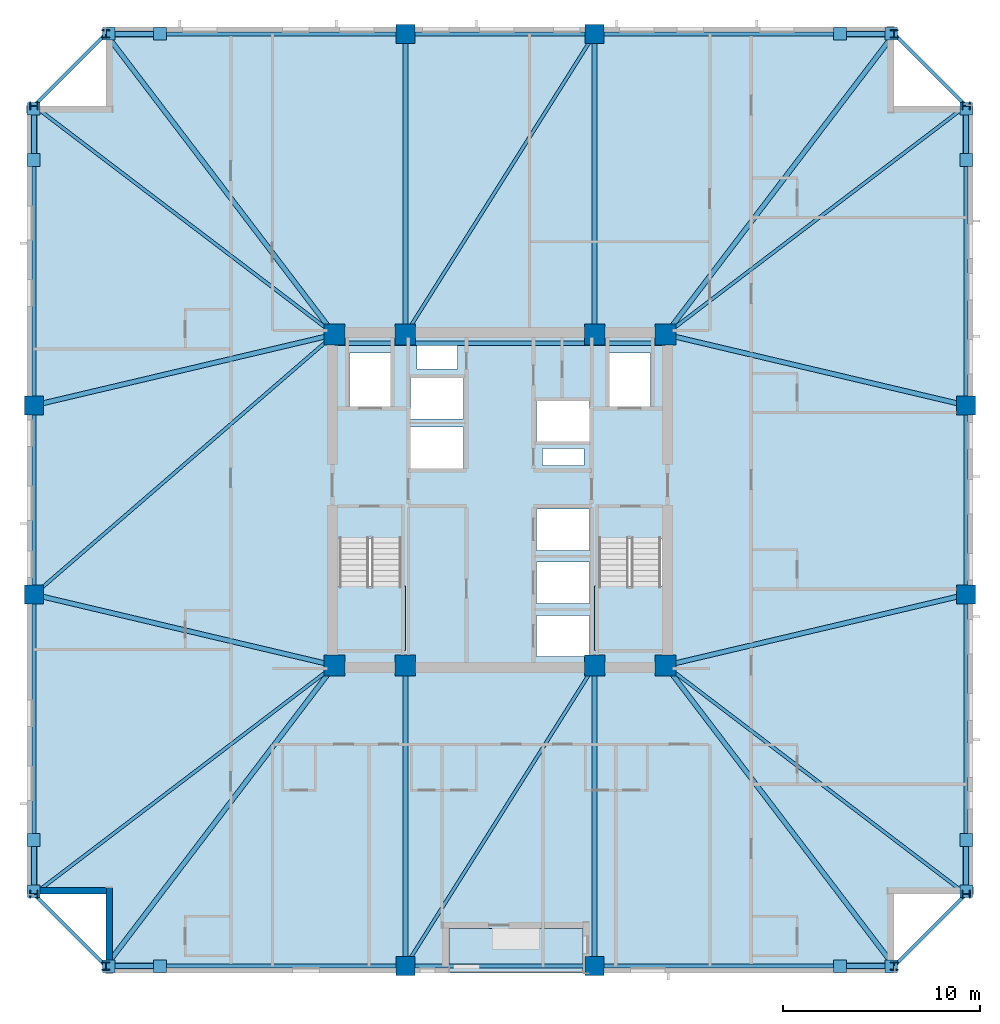
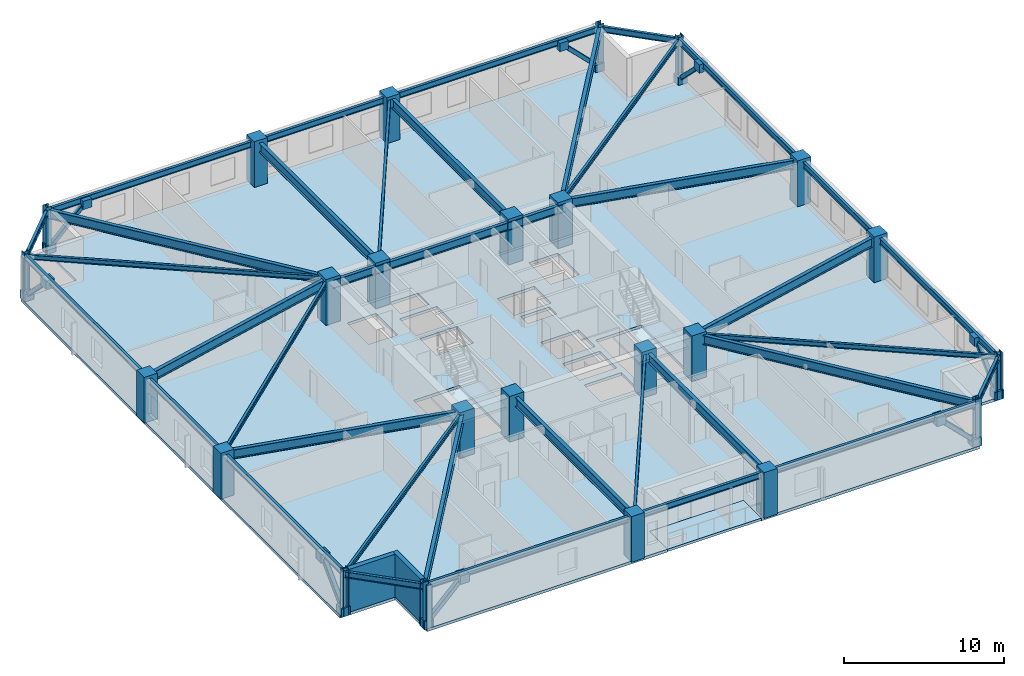
# One storey, part 1 of 11: 38 beams, 24 columns, 16 plates, 8 members, 4 slabs, 2 walls, 2 elements without a shape of their own.
"""IFC4 building model written with IfcOpenShell, lengths in metres."""

import ifcopenshell
import ifcopenshell.guid

model = None  # the IFC model being written
_history = None  # IfcOwnerHistory: only IFC2X3 demands one
_inside = {}  # id of a spatial element -> (the spatial element, [elements in it])
_under = {}  # id of a project, library or spatial element -> (it, [spatial elements below it])
_declared = {}  # id of a project -> (the project, [libraries it declares])
_typed = {}  # id of a type object -> (the type object, [elements of that type])
_made_of = {}  # id of a material, layer set ... -> (it, [elements and type objects made of it])


def new_model(schema):
    """Start an empty IFC model of exactly this schema.

    Asked for "IFC4X3", IfcOpenShell would pick the latest addendum, in which some entities
    have other attributes; the version numbers below select the first issue.
    IFC2X3 requires an IfcOwnerHistory on every rooted entity: one is made here for all.
    """
    global model, _history
    if schema == "IFC4X3":
        model = ifcopenshell.file(schema_version=(4, 3, 0, 0))
    else:
        model = ifcopenshell.file(schema=schema)
    _inside.clear()
    _under.clear()
    _declared.clear()
    _typed.clear()
    _made_of.clear()
    _history = None
    if model.schema == "IFC2X3":
        org = make("IfcOrganization", Name="unknown")
        user = make(
            "IfcPersonAndOrganization",
            ThePerson=make("IfcPerson", FamilyName="unknown"),
            TheOrganization=org,
        )
        app = make(
            "IfcApplication",
            ApplicationDeveloper=org,
            Version="unknown",
            ApplicationFullName="unknown",
            ApplicationIdentifier="unknown",
        )
        _history = make(
            "IfcOwnerHistory",
            OwningUser=user,
            OwningApplication=app,
            ChangeAction="ADDED",
            CreationDate=0,
        )
    return model


def make(cls, **values):
    """One entity of the class cls with the attributes given. An attribute that is None is left unset."""
    return model.create_entity(
        cls, **{name: value for name, value in values.items() if value is not None}
    )


def rooted(cls, **values):
    """An entity with a GlobalId (a new one), such as an element, a storey or a relation."""
    return make(cls, GlobalId=ifcopenshell.guid.new(), OwnerHistory=_history, **values)


def si_unit(unit_type, name, prefix=None):
    """IfcSIUnit, for example si_unit("LENGTHUNIT", "METRE", prefix="MILLI")."""
    return make("IfcSIUnit", UnitType=unit_type, Prefix=prefix, Name=name)


def assignment(units):
    """IfcUnitAssignment: the units of a project."""
    return None if units is None else make("IfcUnitAssignment", Units=units)


def point(xyz):
    """IfcCartesianPoint."""
    return None if xyz is None else make("IfcCartesianPoint", Coordinates=xyz)


def direction(xyz):
    """IfcDirection."""
    return None if xyz is None else make("IfcDirection", DirectionRatios=xyz)


def frame(location, z_axis=None, x_axis=None):
    """IfcAxis2Placement3D, a coordinate frame: its origin and axes. An axis left out is left unset."""
    return make(
        "IfcAxis2Placement3D",
        Location=point(location),
        Axis=direction(z_axis),
        RefDirection=direction(x_axis),
    )


def frame_2d(location, x_axis=None):
    """IfcAxis2Placement2D, a coordinate frame in the plane: its origin and x axis."""
    return make(
        "IfcAxis2Placement2D", Location=point(location), RefDirection=direction(x_axis)
    )


def origin():
    """The frame at (0, 0, 0) with its axes left unset."""
    return frame((0.0, 0.0, 0.0))


def origin_2d():
    """The frame at (0, 0) in the plane with its x axis left unset."""
    return frame_2d((0.0, 0.0))


def place(relative_to, where):
    """IfcLocalPlacement: puts the frame where relative to a parent placement (None: the world)."""
    return make(
        "IfcLocalPlacement", PlacementRelTo=relative_to, RelativePlacement=where
    )


def context(
    kind, dimensions, precision=None, world=None, true_north=None, identifier=None
):
    """IfcGeometricRepresentationContext, for example the 3D "Model" context."""
    return make(
        "IfcGeometricRepresentationContext",
        ContextIdentifier=identifier,
        ContextType=kind,
        CoordinateSpaceDimension=dimensions,
        Precision=precision,
        WorldCoordinateSystem=world,
        TrueNorth=true_north,
    )


def subcontext(parent, identifier, kind, view, scale=None):
    """IfcGeometricRepresentationSubContext, for example "Body" below "Model"."""
    return make(
        "IfcGeometricRepresentationSubContext",
        ContextIdentifier=identifier,
        ContextType=kind,
        ParentContext=parent,
        TargetScale=scale,
        TargetView=view,
    )


def project(units=None, contexts=None):
    """IfcProject with its units and contexts."""
    return rooted(
        "IfcProject",
        Name="project",
        RepresentationContexts=contexts,
        UnitsInContext=assignment(units),
    )


def spatial(cls, under=None, at=None, **own):
    """A site, building, storey or space (cls), placed at a placement, below another one or the project."""
    s = rooted(cls, ObjectPlacement=at, **own)
    if under is not None:
        _under.setdefault(under.id(), (under, []))[1].append(s)
    return s


def polyline(points):
    """IfcPolyline through the points."""
    return make("IfcPolyline", Points=[point(p) for p in points])


def profile(cls, at=None, kind="AREA", **sizes):
    """A parametric profile (cls). Its sizes go by their IFC names, for example OverallWidth=200.0."""
    return make(cls, ProfileType=kind, Position=at, **sizes)


def rectangle(**sizes):
    """IfcRectangleProfileDef."""
    return profile("IfcRectangleProfileDef", **sizes)


def hollow_rectangle(**sizes):
    """IfcRectangleHollowProfileDef."""
    return profile("IfcRectangleHollowProfileDef", **sizes)


def i_section(**sizes):
    """IfcIShapeProfileDef."""
    return profile("IfcIShapeProfileDef", **sizes)


def outline(outer, holes=None, kind="AREA"):
    """IfcArbitraryClosedProfileDef: a profile drawn as a closed curve; with holes, ...WithVoids."""
    if holes is None:
        return make("IfcArbitraryClosedProfileDef", ProfileType=kind, OuterCurve=outer)
    return make(
        "IfcArbitraryProfileDefWithVoids",
        ProfileType=kind,
        OuterCurve=outer,
        InnerCurves=holes,
    )


def extrude(swept, where, along, depth):
    """IfcExtrudedAreaSolid: the profile swept, set in the frame where, extruded along a direction by depth."""
    return make(
        "IfcExtrudedAreaSolid",
        SweptArea=swept,
        Position=where,
        ExtrudedDirection=direction(along),
        Depth=depth,
    )


def shape(context_of_items, identifier, shape_type, items):
    """IfcShapeRepresentation: the items that make up one representation, for example the "Body"."""
    return make(
        "IfcShapeRepresentation",
        ContextOfItems=context_of_items,
        RepresentationIdentifier=identifier,
        RepresentationType=shape_type,
        Items=items,
    )


def material(Name=None, Category=None):
    """IfcMaterial."""
    return make("IfcMaterial", Name=Name, Category=Category)


def layer(
    of_material, thickness, ventilated=None, Name=None, Category=None, Priority=None
):
    """IfcMaterialLayer: one layer of a wall or slab, of a material (None: an air gap)."""
    return make(
        "IfcMaterialLayer",
        Material=of_material,
        LayerThickness=thickness,
        IsVentilated=ventilated,
        Name=Name,
        Category=Category,
        Priority=Priority,
    )


def layer_set(layers, Name=None):
    """IfcMaterialLayerSet."""
    return make("IfcMaterialLayerSet", MaterialLayers=layers, LayerSetName=Name)


def material_profile(
    of_material, cross_section, Name=None, Category=None, Priority=None
):
    """IfcMaterialProfile: a cross section and its material."""
    return make(
        "IfcMaterialProfile",
        Name=Name,
        Material=of_material,
        Profile=cross_section,
        Priority=Priority,
        Category=Category,
    )


def profile_set(profiles, Name=None, composite=None):
    """IfcMaterialProfileSet."""
    return make(
        "IfcMaterialProfileSet",
        Name=Name,
        MaterialProfiles=profiles,
        CompositeProfile=composite,
    )


def made_of(thing, what):
    """Note that an element or type object is made of a material, layer set ...; save() writes the relation."""
    if what is not None:
        _made_of.setdefault(what.id(), (what, []))[1].append(thing)
    return thing


def type_object(cls, material=None, **own):
    """A type object (cls), such as IfcWallType, which elements share."""
    return made_of(rooted(cls, **own), material)


def element(
    cls,
    number,
    at=None,
    inside=None,
    cuts=None,
    type_object=None,
    material=None,
    context=None,
    identifier="Body",
    shape_type=None,
    held_by="IfcProductDefinitionShape",
    body=None,
    shapes=None,
    **own,
):
    """One element of the class cls, such as IfcWall. Its Tag is "e" and its number.

    at: its placement. inside: the storey or other place that contains it. cuts: it is an
    opening in that element (IfcRelVoidsElement). A single representation is given by context,
    identifier, shape_type and body (its items); several are given by shapes. held_by: the class
    of the entity that holds the representations. save() writes the other relations.
    """
    e = rooted(cls, Tag="e%d" % number, ObjectPlacement=at, **own)
    if body is not None:
        shapes = [shape(context, identifier, shape_type, body)]
    if shapes is not None:
        e.Representation = make(held_by, Representations=shapes)
    if inside is not None:
        _inside.setdefault(inside.id(), (inside, []))[1].append(e)
    if cuts is not None:
        rooted(
            "IfcRelVoidsElement", RelatingBuildingElement=cuts, RelatedOpeningElement=e
        )
    if type_object is not None:
        _typed.setdefault(type_object.id(), (type_object, []))[1].append(e)
    return made_of(e, material)


def aggregate(whole, parts):
    """IfcRelAggregates: a whole, such as a stair, and the parts it consists of."""
    return rooted("IfcRelAggregates", RelatingObject=whole, RelatedObjects=parts)


def save(model, path):
    """Write the relations noted so far, then the file.

    IfcRelAggregates (storeys below a building ...), IfcRelContainedInSpatialStructure (elements
    in a storey), IfcRelDefinesByType, IfcRelAssociatesMaterial and IfcRelDeclares: one each for
    every whole, place, type object, material and project.
    """
    for whole, parts in _under.values():
        aggregate(whole, parts)
    for where, things in _inside.values():
        rooted(
            "IfcRelContainedInSpatialStructure",
            RelatedElements=things,
            RelatingStructure=where,
        )
    for kind, things in _typed.values():
        rooted("IfcRelDefinesByType", RelatedObjects=things, RelatingType=kind)
    for what, things in _made_of.values():
        rooted("IfcRelAssociatesMaterial", RelatedObjects=things, RelatingMaterial=what)
    for by, libraries in _declared.values():
        rooted("IfcRelDeclares", RelatingContext=by, RelatedDefinitions=libraries)
    model.write(path)


model = new_model("IFC4")

# Units and contexts
model_context = context("Model", 3, precision=1e-05, world=origin(), true_north=direction((0.0, 1.0)))
body_context = subcontext(model_context, "Body", "Model", "MODEL_VIEW")
ifc_project = project(units=[si_unit("LENGTHUNIT", "METRE"), si_unit("AREAUNIT", "SQUARE_METRE"), si_unit("VOLUMEUNIT", "CUBIC_METRE"), si_unit("PLANEANGLEUNIT", "RADIAN"), si_unit("MASSUNIT", "GRAM", prefix="KILO")], contexts=[model_context])

# Site, building, storey
site_placement = place(None, origin())
site = spatial("IfcSite", under=ifc_project, at=site_placement, CompositionType="ELEMENT")
building_placement = place(site_placement, origin())
building = spatial("IfcBuilding", under=site, at=building_placement, Name="Cairnveth Concourse Tower", CompositionType="ELEMENT")
storey_placement = place(building_placement, frame((0.0, 0.0, 158.5)))
storey = spatial("IfcBuildingStorey", under=building, at=storey_placement, Name="L43", CompositionType="ELEMENT", Elevation=158.5)

# Columns
ifc_material_1 = material(Name="Concrete N65 (65 MPa)", Category="concrete")
ifc_material_profile_1 = material_profile(ifc_material_1, rectangle(XDim=1.050048828125, YDim=1.050048828125, at=origin_2d()), Name="RC-COL-1050x1050")
ifc_profile_set_1 = profile_set([ifc_material_profile_1], Name="Concrete N65 (65 MPa)")
column_type_1 = type_object("IfcColumnType", Name="CORE COLUMN 1050X1050", PredefinedType="COLUMN", material=ifc_profile_set_1)
for number, where, z_axis, x_axis, name in (
    (1, (43.60009765625, 30.60009765625, 0.0), (0.0, 0.0, 1.0), (1.0, 0.0, 0.0), "Column CC1 L43"),
    (2, (47.199951171875, 30.60009765625, 0.0), (0.0, 0.0, 1.0), (1.0, 0.0, 0.0), "Column CC2 L43"),
    (3, (56.800048828125, 30.60009765625, 0.0), (0.0, 0.0, 1.0), (1.0, 0.0, 0.0), "Column CC3 L43"),
    (4, (60.39990234375, 30.60009765625, 0.0), (0.0, 0.0, 1.0), (1.0, 0.0, 0.0), "Column CC4 L43"),
    (5, (43.60009765625, 47.39990234375, 0.0), (0.0, 0.0, 1.0), (1.0, 0.0, 0.0), "Column CC5 L43"),
    (6, (47.199951171875, 47.39990234375, 0.0), (0.0, 0.0, 1.0), (1.0, 0.0, 0.0), "Column CC6 L43"),
    (7, (56.800048828125, 47.39990234375, 0.0), (0.0, 0.0, 1.0), (1.0, 0.0, 0.0), "Column CC7 L43"),
    (8, (60.39990234375, 47.39990234375, 0.0), (0.0, 0.0, 1.0), (1.0, 0.0, 0.0), "Column CC8 L43"),
):
    element("IfcColumn", number, at=place(storey_placement, frame(where, z_axis=z_axis, x_axis=x_axis)), inside=storey, type_object=column_type_1, Name=name, PredefinedType="COLUMN", context=body_context, shape_type="SweptSolid", body=[
        extrude(rectangle(XDim=1.050048828125, YDim=1.050048828125, at=origin_2d()), origin(), (0.0, 0.0, 1.0), 3.5),
    ])
ifc_material_profile_2 = material_profile(ifc_material_1, rectangle(XDim=0.949951171875, YDim=0.949951171875, at=origin_2d()), Name="RC-COL-950x950")
ifc_profile_set_2 = profile_set([ifc_material_profile_2], Name="Concrete N65 (65 MPa)")
column_type_2 = type_object("IfcColumnType", Name="PERIMETER PIER COLUMN 950X950", PredefinedType="COLUMN", material=ifc_profile_set_2)
for number, where, z_axis, x_axis, name in (
    (9, (47.199951171875, 15.35009765625, 0.0), (0.0, 0.0, 1.0), (1.0, 0.0, 0.0), "Column P-S2 L43"),
    (10, (56.800048828125, 15.35009765625, 0.0), (0.0, 0.0, 1.0), (1.0, 0.0, 0.0), "Column P-S3 L43"),
    (11, (75.64990234375, 34.199951171875, 0.0), (0.0, 0.0, 1.0), (0.0, 1.0, 0.0), "Column P-E2 L43"),
    (12, (75.64990234375, 43.800048828125, 0.0), (0.0, 0.0, 1.0), (0.0, 1.0, 0.0), "Column P-E3 L43"),
    (13, (56.800048828125, 62.64990234375, 0.0), (0.0, 0.0, 1.0), (1.0, 0.0, 0.0), "Column P-N2 L43"),
    (14, (47.199951171875, 62.64990234375, 0.0), (0.0, 0.0, 1.0), (1.0, 0.0, 0.0), "Column P-N3 L43"),
    (15, (28.35009765625, 43.800048828125, 0.0), (0.0, 0.0, 1.0), (0.0, 1.0, 0.0), "Column P-W2 L43"),
    (16, (28.35009765625, 34.199951171875, 0.0), (0.0, 0.0, 1.0), (0.0, 1.0, 0.0), "Column P-W3 L43"),
):
    element("IfcColumn", number, at=place(storey_placement, frame(where, z_axis=z_axis, x_axis=x_axis)), inside=storey, type_object=column_type_2, Name=name, PredefinedType="COLUMN", context=body_context, shape_type="SweptSolid", body=[
        extrude(rectangle(XDim=0.949951171875, YDim=0.949951171875, at=origin_2d()), origin(), (0.0, 0.0, 1.0), 3.5),
    ])
ifc_material_2 = material(Name="Steel Grade 350", Category="steel")
ifc_material_profile_3 = material_profile(ifc_material_2, i_section(OverallWidth=0.39990234375, OverallDepth=0.39990234375, WebThickness=0.02197265625, FlangeThickness=0.035888671875, at=origin_2d()), Name="400WC270")
ifc_profile_set_3 = profile_set([ifc_material_profile_3], Name="Steel Grade 350")
column_type_3 = type_object("IfcColumnType", Name="WELDED STEEL COLUMN 400WC270", PredefinedType="COLUMN", material=ifc_profile_set_3)
for number, where, z_axis, x_axis, name in (
    (17, (32.0, 15.35009765625, 0.0), (0.0, 0.0, 1.0), (1.0, 0.0, 0.0), "Column P-S1 L43"),
    (18, (72.0, 15.35009765625, 0.0), (0.0, 0.0, 1.0), (1.0, 0.0, 0.0), "Column P-S4 L43"),
    (19, (75.64990234375, 19.0, 0.0), (0.0, 0.0, 1.0), (0.0, 1.0, 0.0), "Column P-E1 L43"),
    (20, (75.64990234375, 59.0, 0.0), (0.0, 0.0, 1.0), (0.0, 1.0, 0.0), "Column P-E4 L43"),
    (21, (72.0, 62.64990234375, 0.0), (0.0, 0.0, 1.0), (1.0, 0.0, 0.0), "Column P-N1 L43"),
    (22, (32.0, 62.64990234375, 0.0), (0.0, 0.0, 1.0), (1.0, 0.0, 0.0), "Column P-N4 L43"),
    (23, (28.35009765625, 59.0, 0.0), (0.0, 0.0, 1.0), (0.0, 1.0, 0.0), "Column P-W1 L43"),
    (24, (28.35009765625, 19.0, 0.0), (0.0, 0.0, 1.0), (0.0, 1.0, 0.0), "Column P-W4 L43"),
):
    element("IfcColumn", number, at=place(storey_placement, frame(where, z_axis=z_axis, x_axis=x_axis)), inside=storey, type_object=column_type_3, Name=name, PredefinedType="COLUMN", context=body_context, shape_type="SweptSolid", body=[
        extrude(i_section(OverallWidth=0.39990234375, OverallDepth=0.39990234375, WebThickness=0.02197265625, FlangeThickness=0.035888671875, at=origin_2d()), origin(), (0.0, 0.0, 1.0), 3.5),
    ])

# Beams
ifc_material_profile_4 = material_profile(ifc_material_2, i_section(OverallWidth=0.22802734375, OverallDepth=0.60693359375, WebThickness=0.01123046875, FlangeThickness=0.017333984375, FilletRadius=0.013916015625, at=origin_2d()), Name="610UB113")
ifc_profile_set_4 = profile_set([ifc_material_profile_4], Name="Steel Grade 350")
beam_type_1 = type_object("IfcBeamType", Name="CORE TIE BEAM 610UB113", PredefinedType="T_BEAM", material=ifc_profile_set_4)
for number, where, z_axis, x_axis, name in (
    (25, (43.60009765625, 46.949951171875, 2.9765625), (1.0, 0.0, 0.0), (0.0, 1.0, 0.0), "Beam CT-N1 L43"),
    (26, (56.800048828125, 46.949951171875, 2.9765625), (1.0, 0.0, 0.0), (0.0, 1.0, 0.0), "Beam CT-N3 L43"),
):
    element("IfcBeam", number, at=place(storey_placement, frame(where, z_axis=z_axis, x_axis=x_axis)), inside=storey, type_object=beam_type_1, Name=name, PredefinedType="T_BEAM", context=body_context, shape_type="SweptSolid", body=[
        extrude(i_section(OverallWidth=0.22802734375, OverallDepth=0.60693359375, WebThickness=0.01123046875, FlangeThickness=0.017333984375, FilletRadius=0.013916015625, at=origin_2d()), origin(), (0.0, 0.0, 1.0), 3.599853515625),
    ])
beam_1_placement = place(storey_placement, frame((47.199951171875, 46.949951171875, 2.9765625), z_axis=(1.0, 0.0, 0.0), x_axis=(0.0, 1.0, 0.0)))
element("IfcBeam", 27, at=beam_1_placement, inside=storey, type_object=beam_type_1, Name="Beam CT-N2 L43", PredefinedType="T_BEAM", context=body_context, shape_type="SweptSolid", body=[
    extrude(i_section(OverallWidth=0.22802734375, OverallDepth=0.60693359375, WebThickness=0.01123046875, FlangeThickness=0.017333984375, FilletRadius=0.013916015625, at=origin_2d()), origin(), (0.0, 0.0, 1.0), 9.60009765625),
])
ifc_material_profile_5 = material_profile(ifc_material_2, i_section(OverallWidth=0.172119140625, OverallDepth=0.35888671875, WebThickness=0.008056640625, FlangeThickness=0.012939453125, FilletRadius=0.010986328125, at=origin_2d()), Name="360UB56.7")
ifc_profile_set_5 = profile_set([ifc_material_profile_5], Name="Steel Grade 350")
beam_type_2 = type_object("IfcBeamType", Name="ZONE 2 FLOOR JOIST 360UB56.7", PredefinedType="JOIST", material=ifc_profile_set_5)
for number, where, z_axis, x_axis, name in (
    (28, (28.35009765625, 19.0, 3.1005859375), (0.795908242904, 0.6054172684, 0.0), (-0.6054172684, 0.795908242904, 0.0), "Beam FJ-CSW2 L43"),
    (29, (75.64990234375, 19.0, 3.1005859375), (-0.795908242904, 0.6054172684, 0.0), (-0.6054172684, -0.795908242904, 0.0), "Beam FJ-CSE2 L43"),
    (30, (75.64990234375, 59.0, 3.1005859375), (-0.795908242904, -0.6054172684, 0.0), (0.6054172684, -0.795908242904, 0.0), "Beam FJ-CNE2 L43"),
    (31, (28.35009765625, 59.0, 3.1005859375), (0.795908242904, -0.6054172684, 0.0), (0.6054172684, 0.795908242904, 0.0), "Beam FJ-CNW2 L43"),
):
    element("IfcBeam", number, at=place(storey_placement, frame(where, z_axis=z_axis, x_axis=x_axis)), inside=storey, type_object=beam_type_2, Name=name, PredefinedType="JOIST", context=body_context, shape_type="SweptSolid", body=[
        extrude(i_section(OverallWidth=0.172119140625, OverallDepth=0.35888671875, WebThickness=0.008056640625, FlangeThickness=0.012939453125, FilletRadius=0.010986328125, at=origin_2d()), origin(), (0.0, 0.0, 1.0), 19.160400390625),
    ])
for number, where, z_axis, x_axis, name in (
    (32, (47.199951171875, 15.35009765625, 3.1005859375), (0.532743557037, 0.84627672923, 0.0), (-0.84627672923, 0.532743557037, 0.0), "Beam FJ-S-M1 L43"),
    (33, (47.199951171875, 47.39990234375, 3.1005859375), (0.532743557037, 0.84627672923, 0.0), (-0.84627672923, 0.532743557037, 0.0), "Beam FJ-N-M1 L43"),
):
    element("IfcBeam", number, at=place(storey_placement, frame(where, z_axis=z_axis, x_axis=x_axis)), inside=storey, type_object=beam_type_2, Name=name, PredefinedType="JOIST", context=body_context, shape_type="SweptSolid", body=[
        extrude(i_section(OverallWidth=0.172119140625, OverallDepth=0.35888671875, WebThickness=0.008056640625, FlangeThickness=0.012939453125, FilletRadius=0.010986328125, at=origin_2d()), origin(), (0.0, 0.0, 1.0), 18.02001953125),
    ])
beam_2_placement = place(storey_placement, frame((28.35009765625, 34.199951171875, 3.1005859375), z_axis=(0.756099107057, 0.654457134049, 0.0), x_axis=(-0.654457134049, 0.756099107057, 0.0)))
element("IfcBeam", 34, at=beam_2_placement, inside=storey, type_object=beam_type_2, Name="Beam FJ-W-M1 L43", PredefinedType="JOIST", context=body_context, shape_type="SweptSolid", body=[
    extrude(i_section(OverallWidth=0.172119140625, OverallDepth=0.35888671875, WebThickness=0.008056640625, FlangeThickness=0.012939453125, FilletRadius=0.010986328125, at=origin_2d()), origin(), (0.0, 0.0, 1.0), 20.16943359375),
])

# Members
ifc_material_3 = material(Name="Steel C350L0 (350 MPa)", Category="steel")
ifc_material_profile_6 = material_profile(ifc_material_3, hollow_rectangle(XDim=0.300048828125, YDim=0.300048828125, WallThickness=0.01611328125, InnerFilletRadius=0.01611328125, OuterFilletRadius=0.031982421875, at=origin_2d()), Name="300x300x16.0SHS")
ifc_profile_set_6 = profile_set([ifc_material_profile_6], Name="Steel C350L0 (350 MPa)")
member_type = type_object("IfcMemberType", Name="ZONE 2 PIER BRACE 300X300X16SHS", PredefinedType="BRACE", material=ifc_profile_set_6)
for number, where, z_axis, x_axis, name in (
    (35, (32.14990234375, 15.35009765625, 0.25), (0.709834195787, 0.0, 0.704368805735), (0.0, 1.0, 0.0), "Structural Brace PB-S1 L43"),
    (36, (71.85009765625, 15.35009765625, 0.25), (-0.709834195787, 0.0, 0.704368805735), (0.0, -1.0, 0.0), "Structural Brace PB-S2 L43"),
    (37, (32.14990234375, 62.64990234375, 0.25), (0.709834195787, 0.0, 0.704368805735), (0.0, 1.0, 0.0), "Structural Brace PB-N1 L43"),
    (38, (71.85009765625, 62.64990234375, 0.25), (-0.709834195787, 0.0, 0.704368805735), (0.0, -1.0, 0.0), "Structural Brace PB-N2 L43"),
    (39, (28.35009765625, 19.14990234375, 0.25), (0.0, 0.709834195787, 0.704368805735), (-1.0, 0.0, 0.0), "Structural Brace PB-W1 L43"),
    (40, (28.35009765625, 58.85009765625, 0.25), (0.0, -0.709834195787, 0.704368805735), (1.0, 0.0, 0.0), "Structural Brace PB-W2 L43"),
    (41, (75.64990234375, 19.14990234375, 0.25), (0.0, 0.709834195787, 0.704368805735), (-1.0, 0.0, 0.0), "Structural Brace PB-E1 L43"),
    (42, (75.64990234375, 58.85009765625, 0.25), (0.0, -0.709834195787, 0.704368805735), (1.0, 0.0, 0.0), "Structural Brace PB-E2 L43"),
):
    element("IfcMember", number, at=place(storey_placement, frame(where, z_axis=z_axis, x_axis=x_axis)), inside=storey, type_object=member_type, Name=name, PredefinedType="BRACE", context=body_context, shape_type="SweptSolid", body=[
        extrude(hollow_rectangle(XDim=0.300048828125, YDim=0.300048828125, WallThickness=0.01611328125, InnerFilletRadius=0.01611328125, OuterFilletRadius=0.031982421875, at=origin_2d()), origin(), (0.0, 0.0, 1.0), 3.6630859375),
    ])

# Beams
ifc_material_profile_7 = material_profile(ifc_material_2, i_section(OverallWidth=0.25, OverallDepth=0.699951171875, WebThickness=0.011962890625, FlangeThickness=0.028076171875, at=origin_2d()), Name="700WB173")
ifc_profile_set_7 = profile_set([ifc_material_profile_7], Name="Steel Grade 350")
beam_type_3 = type_object("IfcBeamType", Name="ZONE 2 RADIAL GIRDER 700WB173", PredefinedType="BEAM", material=ifc_profile_set_7)
for number, where, z_axis, x_axis, name in (
    (43, (47.199951171875, 15.35009765625, 2.929931640625), (0.0, 1.0, 0.0), (-1.0, 0.0, 0.0), "Beam RG-S1 L43"),
    (44, (56.800048828125, 15.35009765625, 2.929931640625), (0.0, 1.0, 0.0), (-1.0, 0.0, 0.0), "Beam RG-S2 L43"),
    (45, (47.199951171875, 47.39990234375, 2.929931640625), (0.0, 1.0, 0.0), (-1.0, 0.0, 0.0), "Beam RG-N1 L43"),
    (46, (56.800048828125, 47.39990234375, 2.929931640625), (0.0, 1.0, 0.0), (-1.0, 0.0, 0.0), "Beam RG-N2 L43"),
):
    element("IfcBeam", number, at=place(storey_placement, frame(where, z_axis=z_axis, x_axis=x_axis)), inside=storey, type_object=beam_type_3, Name=name, PredefinedType="BEAM", context=body_context, shape_type="SweptSolid", body=[
        extrude(i_section(OverallWidth=0.25, OverallDepth=0.699951171875, WebThickness=0.011962890625, FlangeThickness=0.028076171875, at=origin_2d()), origin(), (0.0, 0.0, 1.0), 15.25),
    ])
for number, where, z_axis, x_axis, name in (
    (47, (28.35009765625, 34.199951171875, 2.929931640625), (0.973251602929, -0.229741849468, 0.0), (0.229741849468, 0.973251602929, 0.0), "Beam RG-W1 L43"),
    (48, (28.35009765625, 43.800048828125, 2.929931640625), (0.973251602929, 0.229741849468, 0.0), (-0.229741849468, 0.973251602929, 0.0), "Beam RG-W2 L43"),
    (49, (60.39990234375, 30.60009765625, 2.929931640625), (0.973251602929, 0.229741849468, 0.0), (-0.229741849468, 0.973251602929, 0.0), "Beam RG-E1 L43"),
    (50, (60.39990234375, 47.39990234375, 2.929931640625), (0.973251602929, -0.229741849468, 0.0), (0.229741849468, 0.973251602929, 0.0), "Beam RG-E2 L43"),
):
    element("IfcBeam", number, at=place(storey_placement, frame(where, z_axis=z_axis, x_axis=x_axis)), inside=storey, type_object=beam_type_3, Name=name, PredefinedType="BEAM", context=body_context, shape_type="SweptSolid", body=[
        extrude(i_section(OverallWidth=0.25, OverallDepth=0.699951171875, WebThickness=0.011962890625, FlangeThickness=0.028076171875, at=origin_2d()), origin(), (0.0, 0.0, 1.0), 15.669189453125),
    ])
for number, where, z_axis, x_axis, name in (
    (51, (32.0, 15.35009765625, 2.929931640625), (0.6054172684, 0.795908242904, 0.0), (-0.795908242904, 0.6054172684, 0.0), "Beam RG-CSW L43"),
    (52, (72.0, 15.35009765625, 2.929931640625), (-0.6054172684, 0.795908242904, 0.0), (-0.795908242904, -0.6054172684, 0.0), "Beam RG-CSE L43"),
    (53, (72.0, 62.64990234375, 2.929931640625), (-0.6054172684, -0.795908242904, 0.0), (0.795908242904, -0.6054172684, 0.0), "Beam RG-CNE L43"),
    (54, (32.0, 62.64990234375, 2.929931640625), (0.6054172684, -0.795908242904, 0.0), (0.795908242904, 0.6054172684, 0.0), "Beam RG-CNW L43"),
):
    element("IfcBeam", number, at=place(storey_placement, frame(where, z_axis=z_axis, x_axis=x_axis)), inside=storey, type_object=beam_type_3, Name=name, PredefinedType="BEAM", context=body_context, shape_type="SweptSolid", body=[
        extrude(i_section(OverallWidth=0.25, OverallDepth=0.699951171875, WebThickness=0.011962890625, FlangeThickness=0.028076171875, at=origin_2d()), origin(), (0.0, 0.0, 1.0), 19.160400390625),
    ])
ifc_material_profile_8 = material_profile(ifc_material_2, i_section(OverallWidth=0.18994140625, OverallDepth=0.45703125, WebThickness=0.009033203125, FlangeThickness=0.014404296875, FilletRadius=0.010986328125, at=origin_2d()), Name="460UB74.6")
ifc_profile_set_8 = profile_set([ifc_material_profile_8], Name="Steel Grade 350")
beam_type_4 = type_object("IfcBeamType", Name="ZONE 2 SPANDREL BEAM 460UB74.6", PredefinedType="SPANDREL", material=ifc_profile_set_8)
beam_3_placement = place(storey_placement, frame((32.0, 15.35009765625, 3.051513671875), z_axis=(1.0, 0.0, 0.0), x_axis=(0.0, 1.0, 0.0)))
element("IfcBeam", 55, at=beam_3_placement, inside=storey, type_object=beam_type_4, Name="Beam SP-S1 L43", PredefinedType="SPANDREL", context=body_context, shape_type="SweptSolid", body=[
    extrude(i_section(OverallWidth=0.18994140625, OverallDepth=0.45703125, WebThickness=0.009033203125, FlangeThickness=0.014404296875, FilletRadius=0.010986328125, at=origin_2d()), origin(), (0.0, 0.0, 1.0), 15.199951171875),
])
beam_4_placement = place(storey_placement, frame((47.199951171875, 15.35009765625, 3.051513671875), z_axis=(1.0, 0.0, 0.0), x_axis=(0.0, 1.0, 0.0)))
element("IfcBeam", 56, at=beam_4_placement, inside=storey, type_object=beam_type_4, Name="Beam SP-S2 L43", PredefinedType="SPANDREL", context=body_context, shape_type="SweptSolid", body=[
    extrude(i_section(OverallWidth=0.18994140625, OverallDepth=0.45703125, WebThickness=0.009033203125, FlangeThickness=0.014404296875, FilletRadius=0.010986328125, at=origin_2d()), origin(), (0.0, 0.0, 1.0), 9.60009765625),
])
for number, where, z_axis, x_axis, name in (
    (57, (56.800048828125, 15.35009765625, 3.051513671875), (1.0, 0.0, 0.0), (0.0, 1.0, 0.0), "Beam SP-S3 L43"),
    (58, (32.0, 62.64990234375, 3.051513671875), (1.0, 0.0, 0.0), (0.0, 1.0, 0.0), "Beam SP-N1 L43"),
):
    element("IfcBeam", number, at=place(storey_placement, frame(where, z_axis=z_axis, x_axis=x_axis)), inside=storey, type_object=beam_type_4, Name=name, PredefinedType="SPANDREL", context=body_context, shape_type="SweptSolid", body=[
        extrude(i_section(OverallWidth=0.18994140625, OverallDepth=0.45703125, WebThickness=0.009033203125, FlangeThickness=0.014404296875, FilletRadius=0.010986328125, at=origin_2d()), origin(), (0.0, 0.0, 1.0), 15.199951171875),
    ])
beam_5_placement = place(storey_placement, frame((47.199951171875, 62.64990234375, 3.051513671875), z_axis=(1.0, 0.0, 0.0), x_axis=(0.0, 1.0, 0.0)))
element("IfcBeam", 59, at=beam_5_placement, inside=storey, type_object=beam_type_4, Name="Beam SP-N2 L43", PredefinedType="SPANDREL", context=body_context, shape_type="SweptSolid", body=[
    extrude(i_section(OverallWidth=0.18994140625, OverallDepth=0.45703125, WebThickness=0.009033203125, FlangeThickness=0.014404296875, FilletRadius=0.010986328125, at=origin_2d()), origin(), (0.0, 0.0, 1.0), 9.60009765625),
])
for number, where, z_axis, x_axis, name in (
    (60, (56.800048828125, 62.64990234375, 3.051513671875), (1.0, 0.0, 0.0), (0.0, 1.0, 0.0), "Beam SP-N3 L43"),
    (61, (28.35009765625, 19.0, 3.051513671875), (0.0, 1.0, 0.0), (-1.0, 0.0, 0.0), "Beam SP-W1 L43"),
):
    element("IfcBeam", number, at=place(storey_placement, frame(where, z_axis=z_axis, x_axis=x_axis)), inside=storey, type_object=beam_type_4, Name=name, PredefinedType="SPANDREL", context=body_context, shape_type="SweptSolid", body=[
        extrude(i_section(OverallWidth=0.18994140625, OverallDepth=0.45703125, WebThickness=0.009033203125, FlangeThickness=0.014404296875, FilletRadius=0.010986328125, at=origin_2d()), origin(), (0.0, 0.0, 1.0), 15.199951171875),
    ])
beam_6_placement = place(storey_placement, frame((28.35009765625, 34.199951171875, 3.051513671875), z_axis=(0.0, 1.0, 0.0), x_axis=(-1.0, 0.0, 0.0)))
element("IfcBeam", 62, at=beam_6_placement, inside=storey, type_object=beam_type_4, Name="Beam SP-W2 L43", PredefinedType="SPANDREL", context=body_context, shape_type="SweptSolid", body=[
    extrude(i_section(OverallWidth=0.18994140625, OverallDepth=0.45703125, WebThickness=0.009033203125, FlangeThickness=0.014404296875, FilletRadius=0.010986328125, at=origin_2d()), origin(), (0.0, 0.0, 1.0), 9.60009765625),
])
for number, where, z_axis, x_axis, name in (
    (63, (28.35009765625, 43.800048828125, 3.051513671875), (0.0, 1.0, 0.0), (-1.0, 0.0, 0.0), "Beam SP-W3 L43"),
    (64, (75.64990234375, 19.0, 3.051513671875), (0.0, 1.0, 0.0), (-1.0, 0.0, 0.0), "Beam SP-E1 L43"),
):
    element("IfcBeam", number, at=place(storey_placement, frame(where, z_axis=z_axis, x_axis=x_axis)), inside=storey, type_object=beam_type_4, Name=name, PredefinedType="SPANDREL", context=body_context, shape_type="SweptSolid", body=[
        extrude(i_section(OverallWidth=0.18994140625, OverallDepth=0.45703125, WebThickness=0.009033203125, FlangeThickness=0.014404296875, FilletRadius=0.010986328125, at=origin_2d()), origin(), (0.0, 0.0, 1.0), 15.199951171875),
    ])
beam_7_placement = place(storey_placement, frame((75.64990234375, 34.199951171875, 3.051513671875), z_axis=(0.0, 1.0, 0.0), x_axis=(-1.0, 0.0, 0.0)))
element("IfcBeam", 65, at=beam_7_placement, inside=storey, type_object=beam_type_4, Name="Beam SP-E2 L43", PredefinedType="SPANDREL", context=body_context, shape_type="SweptSolid", body=[
    extrude(i_section(OverallWidth=0.18994140625, OverallDepth=0.45703125, WebThickness=0.009033203125, FlangeThickness=0.014404296875, FilletRadius=0.010986328125, at=origin_2d()), origin(), (0.0, 0.0, 1.0), 9.60009765625),
])
beam_8_placement = place(storey_placement, frame((75.64990234375, 43.800048828125, 3.051513671875), z_axis=(0.0, 1.0, 0.0), x_axis=(-1.0, 0.0, 0.0)))
element("IfcBeam", 66, at=beam_8_placement, inside=storey, type_object=beam_type_4, Name="Beam SP-E3 L43", PredefinedType="SPANDREL", context=body_context, shape_type="SweptSolid", body=[
    extrude(i_section(OverallWidth=0.18994140625, OverallDepth=0.45703125, WebThickness=0.009033203125, FlangeThickness=0.014404296875, FilletRadius=0.010986328125, at=origin_2d()), origin(), (0.0, 0.0, 1.0), 15.199951171875),
])
for number, where, z_axis, x_axis, name in (
    (67, (28.35009765625, 19.0, 3.051513671875), (0.707106781187, -0.707106781187, 0.0), (0.707106781187, 0.707106781187, 0.0), "Beam SP-SW L43"),
    (68, (72.0, 15.35009765625, 3.051513671875), (0.707106781187, 0.707106781187, 0.0), (-0.707106781187, 0.707106781187, 0.0), "Beam SP-SE L43"),
    (69, (72.0, 62.64990234375, 3.051513671875), (0.707106781187, -0.707106781187, 0.0), (0.707106781187, 0.707106781187, 0.0), "Beam SP-NE L43"),
    (70, (28.35009765625, 59.0, 3.051513671875), (0.707106781187, 0.707106781187, 0.0), (-0.707106781187, 0.707106781187, 0.0), "Beam SP-NW L43"),
):
    element("IfcBeam", number, at=place(storey_placement, frame(where, z_axis=z_axis, x_axis=x_axis)), inside=storey, type_object=beam_type_4, Name=name, PredefinedType="SPANDREL", context=body_context, shape_type="SweptSolid", body=[
        extrude(i_section(OverallWidth=0.18994140625, OverallDepth=0.45703125, WebThickness=0.009033203125, FlangeThickness=0.014404296875, FilletRadius=0.010986328125, at=origin_2d()), origin(), (0.0, 0.0, 1.0), 5.16162109375),
    ])

# Slab
ifc_material_4 = material(Name="Concrete N50 (50 MPa)", Category="concrete")
ifc_layer_1 = layer(ifc_material_4, 0.219970703125)
ifc_layer_set_1 = layer_set([ifc_layer_1], Name="Concrete N50 (50 MPa)")
slab_type_1 = type_object("IfcSlabType", Name="LOWER TOWER COMPOSITE SLAB 220", PredefinedType="FLOOR", material=ifc_layer_set_1)
slab_1_placement = place(storey_placement, frame((0.0, 0.0, -0.219970703125)))
element("IfcSlab", 71, at=slab_1_placement, inside=storey, type_object=slab_type_1, Name="Tower Floor Slab L43", PredefinedType="FLOOR", context=body_context, shape_type="SweptSolid", body=[
    extrude(outline(polyline([(49.39990234375, 15.0), (49.39990234375, 17.25), (56.199951171875, 17.25), (56.199951171875, 15.0), (72.0, 15.0), (72.0, 19.0), (76.0, 19.0), (76.0, 59.0), (72.0, 59.0), (72.0, 63.0), (32.0, 63.0), (32.0, 59.0), (28.0, 59.0), (28.0, 19.0), (32.0, 19.0), (32.0, 15.0), (49.39990234375, 15.0)]), holes=[polyline([(43.760009765625, 31.360107421875), (47.06005859375, 31.360107421875), (47.06005859375, 37.0400390625), (43.760009765625, 37.0400390625), (43.760009765625, 31.360107421875)]), polyline([(56.93994140625, 31.360107421875), (60.239990234375, 31.360107421875), (60.239990234375, 37.0400390625), (56.93994140625, 37.0400390625), (56.93994140625, 31.360107421875)]), polyline([(44.3701171875, 43.75), (46.469970703125, 43.75), (46.469970703125, 46.449951171875), (44.3701171875, 46.449951171875), (44.3701171875, 43.75)]), polyline([(57.530029296875, 43.75), (59.6298828125, 43.75), (59.6298828125, 46.449951171875), (57.530029296875, 46.449951171875), (57.530029296875, 43.75)]), polyline([(53.85009765625, 31.050048828125), (56.550048828125, 31.050048828125), (56.550048828125, 33.14990234375), (53.85009765625, 33.14990234375), (53.85009765625, 31.050048828125)]), polyline([(53.85009765625, 33.75), (56.550048828125, 33.75), (56.550048828125, 35.85009765625), (53.85009765625, 35.85009765625), (53.85009765625, 33.75)]), polyline([(53.85009765625, 36.449951171875), (56.550048828125, 36.449951171875), (56.550048828125, 38.550048828125), (53.85009765625, 38.550048828125), (53.85009765625, 36.449951171875)]), polyline([(47.449951171875, 40.60009765625), (50.14990234375, 40.60009765625), (50.14990234375, 42.699951171875), (47.449951171875, 42.699951171875), (47.449951171875, 40.60009765625)]), polyline([(47.449951171875, 43.10009765625), (50.14990234375, 43.10009765625), (50.14990234375, 45.199951171875), (47.449951171875, 45.199951171875), (47.449951171875, 43.10009765625)]), polyline([(53.85009765625, 41.949951171875), (56.550048828125, 41.949951171875), (56.550048828125, 44.050048828125), (53.85009765625, 44.050048828125), (53.85009765625, 41.949951171875)]), polyline([(47.800048828125, 45.64990234375), (49.85009765625, 45.64990234375), (49.85009765625, 47.050048828125), (47.800048828125, 47.050048828125), (47.800048828125, 45.64990234375)]), polyline([(54.14990234375, 40.75), (56.25, 40.75), (56.25, 41.6201171875), (54.14990234375, 41.6201171875), (54.14990234375, 40.75)])]), origin(), (0.0, 0.0, 1.0), 0.219970703125),
])

# Plates
ifc_layer_2 = layer(ifc_material_2, 0.031982421875)
ifc_layer_set_2 = layer_set([ifc_layer_2], Name="Steel Grade 350")
plate_type = type_object("IfcPlateType", Name="PERIMETER BRACE GUSSET PLATE 32", PredefinedType="USERDEFINED", material=ifc_layer_set_2)
for number, where, z_axis, x_axis, name in (
    (72, (32.14990234375, 15.35009765625, -0.06982421875), (0.0, 0.0, 1.0), (1.0, 0.0, 0.0), "Structural Node Plate 0721 L43"),
    (73, (34.75, 15.35009765625, 2.51025390625), (0.0, 0.0, 1.0), (1.0, 0.0, 0.0), "Structural Node Plate 0722 L43"),
    (74, (71.85009765625, 15.35009765625, -0.06982421875), (0.0, 0.0, 1.0), (1.0, 0.0, 0.0), "Structural Node Plate 0723 L43"),
    (75, (69.25, 15.35009765625, 2.51025390625), (0.0, 0.0, 1.0), (1.0, 0.0, 0.0), "Structural Node Plate 0724 L43"),
    (76, (32.14990234375, 62.64990234375, -0.06982421875), (0.0, 0.0, 1.0), (1.0, 0.0, 0.0), "Structural Node Plate 0725 L43"),
    (77, (34.75, 62.64990234375, 2.51025390625), (0.0, 0.0, 1.0), (1.0, 0.0, 0.0), "Structural Node Plate 0726 L43"),
    (78, (71.85009765625, 62.64990234375, -0.06982421875), (0.0, 0.0, 1.0), (1.0, 0.0, 0.0), "Structural Node Plate 0727 L43"),
    (79, (69.25, 62.64990234375, 2.51025390625), (0.0, 0.0, 1.0), (1.0, 0.0, 0.0), "Structural Node Plate 0728 L43"),
    (80, (28.35009765625, 19.14990234375, -0.06982421875), (0.0, 0.0, 1.0), (1.0, 0.0, 0.0), "Structural Node Plate 0729 L43"),
    (81, (28.35009765625, 21.75, 2.51025390625), (0.0, 0.0, 1.0), (1.0, 0.0, 0.0), "Structural Node Plate 0730 L43"),
    (82, (28.35009765625, 58.85009765625, -0.06982421875), (0.0, 0.0, 1.0), (1.0, 0.0, 0.0), "Structural Node Plate 0731 L43"),
    (83, (28.35009765625, 56.25, 2.51025390625), (0.0, 0.0, 1.0), (1.0, 0.0, 0.0), "Structural Node Plate 0732 L43"),
    (84, (75.64990234375, 19.14990234375, -0.06982421875), (0.0, 0.0, 1.0), (1.0, 0.0, 0.0), "Structural Node Plate 0733 L43"),
    (85, (75.64990234375, 21.75, 2.51025390625), (0.0, 0.0, 1.0), (1.0, 0.0, 0.0), "Structural Node Plate 0734 L43"),
    (86, (75.64990234375, 58.85009765625, -0.06982421875), (0.0, 0.0, 1.0), (1.0, 0.0, 0.0), "Structural Node Plate 0735 L43"),
    (87, (75.64990234375, 56.25, 2.51025390625), (0.0, 0.0, 1.0), (1.0, 0.0, 0.0), "Structural Node Plate 0736 L43"),
):
    element("IfcPlate", number, at=place(storey_placement, frame(where, z_axis=z_axis, x_axis=x_axis)), inside=storey, type_object=plate_type, Name=name, ObjectType="GUSSET PLATE", PredefinedType="USERDEFINED", context=body_context, shape_type="SweptSolid", body=[
        extrude(rectangle(XDim=0.639892578125, YDim=0.639892578125, at=origin_2d()), origin(), (0.0, 0.0, 1.0), 0.639892578125),
    ])

# Slab
ifc_layer_3 = layer(ifc_material_4, 0.18994140625)
ifc_layer_set_3 = layer_set([ifc_layer_3], Name="Concrete N50 (50 MPa)")
slab_type_2 = type_object("IfcSlabType", Name="SPIRAL OUTDOOR TERRACE SLAB 190", PredefinedType="FLOOR", material=ifc_layer_set_3)
slab_2_placement = place(storey_placement, frame((0.0, 0.0, -0.18994140625)))
element("IfcSlab", 88, at=slab_2_placement, inside=storey, type_object=slab_type_2, Name="Spiral Terrace Slab L43", PredefinedType="FLOOR", context=body_context, shape_type="SweptSolid", body=[
    extrude(outline(polyline([(49.39990234375, 15.0), (56.199951171875, 15.0), (56.199951171875, 17.25), (49.39990234375, 17.25), (49.39990234375, 15.0)])), origin(), (0.0, 0.0, 1.0), 0.18994140625),
])

# Stair, slab
ifc_material_5 = material(Name="Precast concrete N50 (50 MPa)", Category="concrete")
stair_type = type_object("IfcStairType", Name="CORE DOG-LEG FIRE STAIR 1500", PredefinedType="HALF_TURN_STAIR", material=ifc_material_5)
stair_1_placement = place(storey_placement, origin())
stair_1 = element("IfcStair", 89, at=stair_1_placement, inside=storey, type_object=stair_type, Name="L43 Fire-Isolated Stair ST-1", PredefinedType="HALF_TURN_STAIR")
ifc_layer_4 = layer(ifc_material_4, 0.199951171875)
ifc_layer_set_4 = layer_set([ifc_layer_4], Name="Concrete N50 (50 MPa)")
slab_type_3 = type_object("IfcSlabType", Name="STAIR HALF LANDING SLAB 200", PredefinedType="LANDING", material=ifc_layer_set_4)
slab_3_placement = place(storey_placement, frame((0.0, 0.0, 1.550048828125)))
slab_3 = element("IfcSlab", 90, at=slab_3_placement, type_object=slab_type_3, Name="ST-1 landing 1", PredefinedType="LANDING", context=body_context, shape_type="SweptSolid", body=[
    extrude(outline(polyline([(43.6201171875, 34.639892578125), (43.6201171875, 31.3701171875), (47.199951171875, 31.3701171875), (47.199951171875, 34.639892578125), (43.6201171875, 34.639892578125)])), origin(), (0.0, 0.0, 1.0), 0.199951171875),
])
aggregate(stair_1, [slab_3])

stair_2_placement = place(storey_placement, origin())
stair_2 = element("IfcStair", 91, at=stair_2_placement, inside=storey, type_object=stair_type, Name="L43 Fire-Isolated Stair ST-2", PredefinedType="HALF_TURN_STAIR")
slab_4_placement = place(storey_placement, frame((0.0, 0.0, 1.550048828125)))
slab_4 = element("IfcSlab", 92, at=slab_4_placement, type_object=slab_type_3, Name="ST-2 landing 1", PredefinedType="LANDING", context=body_context, shape_type="SweptSolid", body=[
    extrude(outline(polyline([(56.800048828125, 34.639892578125), (56.800048828125, 31.3701171875), (60.3798828125, 31.3701171875), (60.3798828125, 34.639892578125), (56.800048828125, 34.639892578125)])), origin(), (0.0, 0.0, 1.0), 0.199951171875),
])
aggregate(stair_2, [slab_4])

# Walls
ifc_material_6 = material(Name="Hawthorn Red-Ochre Fired Clay Brick Masonry", Category="masonry")
ifc_layer_5 = layer(ifc_material_6, 0.340087890625)
ifc_layer_set_5 = layer_set([ifc_layer_5], Name="Hawthorn Red-Ochre Fired Clay Brick Masonry")
wall_type = type_object("IfcWallType", Name="ZONE 2 BRICK PIER SPANDREL WALL 340", PredefinedType="SOLIDWALL", material=ifc_layer_set_5)
wall_1_placement = place(storey_placement, frame((32.169921875, 15.0, 0.0), z_axis=(0.0, 0.0, 1.0), x_axis=(0.0, 1.0, 0.0)))
element("IfcWall", 93, at=wall_1_placement, inside=storey, type_object=wall_type, Name="Exterior Wall EW-L43-S01", PredefinedType="SOLIDWALL", context=body_context, shape_type="SweptSolid", body=[
    extrude(rectangle(XDim=4.340087890625, YDim=0.340087890625, at=frame_2d((2.169921875, 0.0))), origin(), (0.0, 0.0, 1.0), 3.280029296875),
])
wall_2_placement = place(storey_placement, frame((32.02197265625, 19.169921875, 0.0), z_axis=(0.0, 0.0, 1.0), x_axis=(-1.0, 0.0, 0.0)))
element("IfcWall", 94, at=wall_2_placement, inside=storey, type_object=wall_type, Name="Exterior Wall EW-L43-S02", PredefinedType="SOLIDWALL", context=body_context, shape_type="SweptSolid", body=[
    extrude(rectangle(XDim=3.703857421875, YDim=0.340087890625, at=frame_2d((1.85205078125, 0.0))), origin(), (0.0, 0.0, 1.0), 3.280029296875),
])

save(model, "model.ifc")
